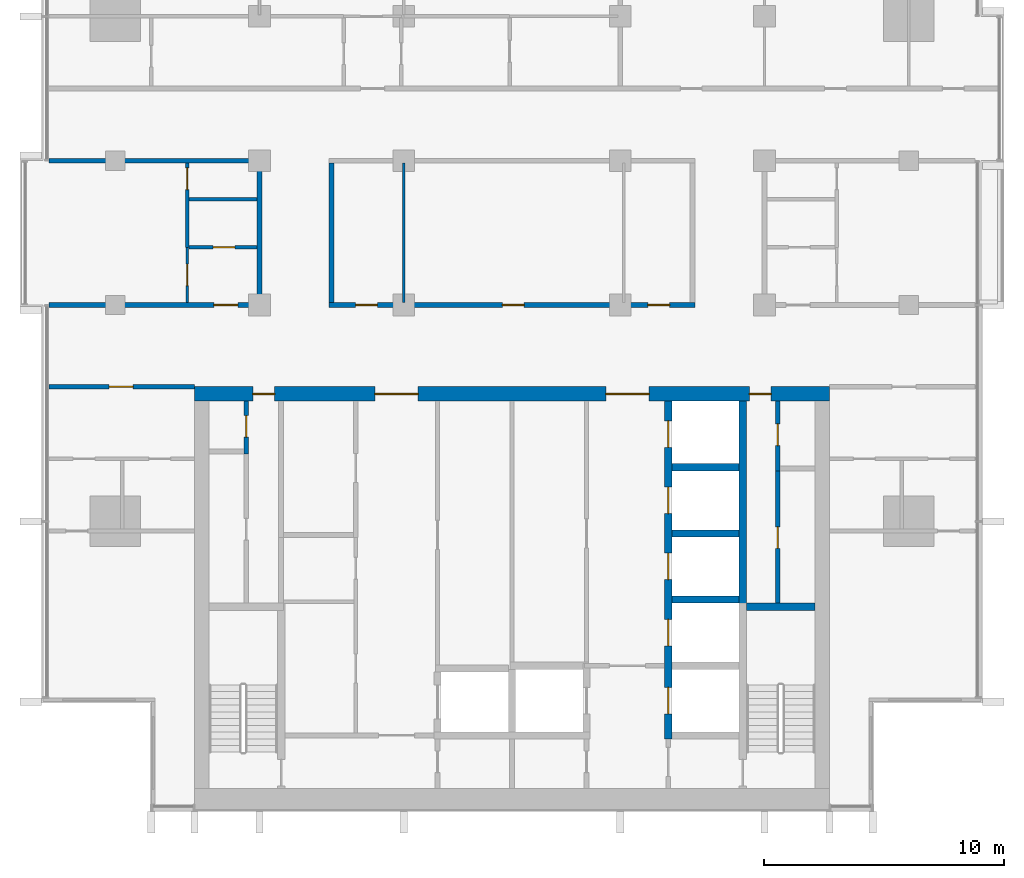
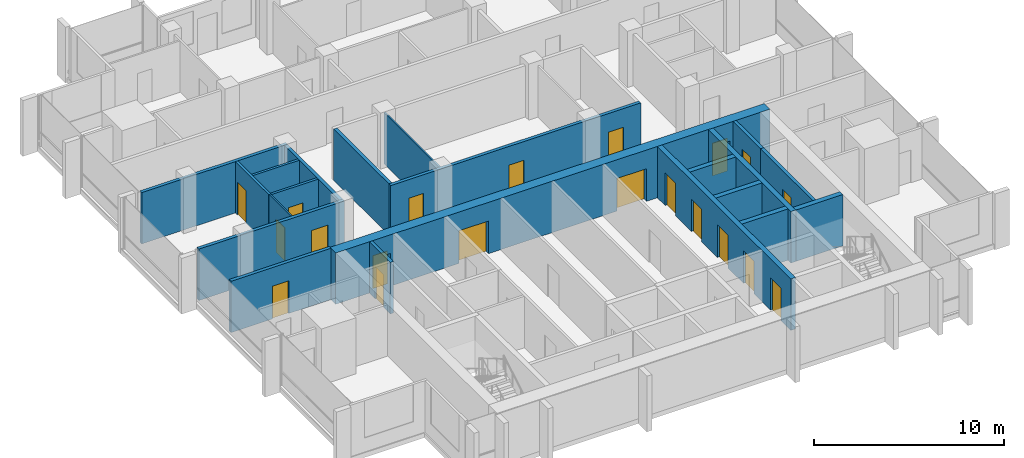
# One storey, part 8 of 15: 21 walls, 20 doors, 20 openings.
"""IFC4 building model written with IfcOpenShell, lengths in metres."""

from ifc_helpers import new_model, si_unit, direction, frame, frame_2d, origin, place, context, subcontext, project, spatial, rectangle, extrude, material, layer, layer_set, type_object, element, fill, save


model = new_model("IFC4")

# Units and contexts
model_context = context("Model", 3, precision=1e-05, world=origin(), true_north=direction((0.0, 1.0)))
body_context = subcontext(model_context, "Body", "Model", "MODEL_VIEW")
ifc_project = project(units=[si_unit("LENGTHUNIT", "METRE"), si_unit("AREAUNIT", "SQUARE_METRE"), si_unit("VOLUMEUNIT", "CUBIC_METRE"), si_unit("PLANEANGLEUNIT", "RADIAN"), si_unit("MASSUNIT", "GRAM", prefix="KILO")], contexts=[model_context])

# Site, building, storey
site_placement = place(None, origin())
site = spatial("IfcSite", under=ifc_project, at=site_placement, CompositionType="ELEMENT")
building_placement = place(site_placement, origin())
building = spatial("IfcBuilding", under=site, at=building_placement, Name="Finial Court Residences", CompositionType="ELEMENT")
storey_placement = place(building_placement, frame((0.0, 0.0, 226.699951171875)))
storey = spatial("IfcBuildingStorey", under=building, at=storey_placement, Name="L57", CompositionType="ELEMENT", Elevation=226.699951171875)

# Wall, openings, doors
ifc_material_1 = material(Name="Concrete C60/75", Category="concrete")
ifc_layer_1 = layer(ifc_material_1, 0.60009765625)
ifc_layer_set_1 = layer_set([ifc_layer_1], Name="Core outer wall 600 Concrete C60/75")
wall_type_1 = type_object("IfcWallType", Name="Core outer wall 600 Concrete C60/75", PredefinedType="SHEAR", material=ifc_layer_set_1)
wall_1_placement = place(storey_placement, frame((-13.199951171875, -8.199951171875, 0.0), z_axis=(0.0, 0.0, 1.0), x_axis=(1.0, 0.0, 0.0)))
wall_1 = element("IfcWall", 1, at=wall_1_placement, inside=storey, type_object=wall_type_1, Name="Core outer wall L57-02", PredefinedType="SHEAR", context=body_context, shape_type="SweptSolid", body=[
    extrude(rectangle(XDim=26.39990234375, YDim=0.60009765625, at=frame_2d((13.199951171875, 0.0))), origin(), (0.0, 0.0, 1.0), 3.300048828125),
])
opening_1_placement = place(wall_1_placement, frame((7.5, 0.0, 0.0)))
opening_1 = element("IfcOpeningElement", 2, at=opening_1_placement, cuts=wall_1, Name="Opening L57-C04", PredefinedType="OPENING", context=body_context, shape_type="SweptSolid", body=[
    extrude(rectangle(XDim=1.800048828125, YDim=2.10009765625, at=frame_2d((0.89990234375, 1.050048828125))), frame((0.0, 0.31005859375, 0.0), z_axis=(0.0, -1.0, 0.0), x_axis=(1.0, 0.0, 0.0)), (0.0, 0.0, 1.0), 0.6201171875),
])
opening_2_placement = place(wall_1_placement, frame((17.10009765625, 0.0, 0.0)))
opening_2 = element("IfcOpeningElement", 3, at=opening_2_placement, cuts=wall_1, Name="Opening L57-C05", PredefinedType="OPENING", context=body_context, shape_type="SweptSolid", body=[
    extrude(rectangle(XDim=1.800048828125, YDim=2.10009765625, at=frame_2d((0.89990234375, 1.050048828125))), frame((0.0, 0.31005859375, 0.0), z_axis=(0.0, -1.0, 0.0), x_axis=(1.0, 0.0, 0.0)), (0.0, 0.0, 1.0), 0.6201171875),
])
opening_3_placement = place(wall_1_placement, frame((2.425048828125, 0.0, 0.0)))
opening_3 = element("IfcOpeningElement", 4, at=opening_3_placement, cuts=wall_1, Name="Opening L57-C10", PredefinedType="OPENING", context=body_context, shape_type="SweptSolid", body=[
    extrude(rectangle(XDim=0.89990234375, YDim=2.10009765625, at=frame_2d((0.449951171875, 1.050048828125))), frame((0.0, 0.31005859375, 0.0), z_axis=(0.0, -1.0, 0.0), x_axis=(1.0, 0.0, 0.0)), (0.0, 0.0, 1.0), 0.6201171875),
])
opening_4_placement = place(wall_1_placement, frame((23.074951171875, 0.0, 0.0)))
opening_4 = element("IfcOpeningElement", 5, at=opening_4_placement, cuts=wall_1, Name="Opening L57-C11", PredefinedType="OPENING", context=body_context, shape_type="SweptSolid", body=[
    extrude(rectangle(XDim=0.89990234375, YDim=2.10009765625, at=frame_2d((0.449951171875, 1.050048828125))), frame((0.0, 0.31005859375, 0.0), z_axis=(0.0, -1.0, 0.0), x_axis=(1.0, 0.0, 0.0)), (0.0, 0.0, 1.0), 0.6201171875),
])
ifc_material_2 = material(Name="Steel fire door", Category="steel")
door_type_1 = type_object("IfcDoorType", Name="Lift lobby door 1800 x 2100 EI 60", OperationType="DOUBLE_DOOR_SINGLE_SWING", PredefinedType="DOOR", material=ifc_material_2)
door_1_placement = place(opening_1_placement, origin())
door_1 = element("IfcDoor", 6, at=door_1_placement, inside=storey, type_object=door_type_1, Name="Lift lobby door L57-C04", OperationType="DOUBLE_DOOR_SINGLE_SWING", OverallHeight=2.10009765625, OverallWidth=1.800048828125, PredefinedType="DOOR", context=body_context, shape_type="SweptSolid", body=[
    extrude(rectangle(XDim=1.800048828125, YDim=2.10009765625, at=frame_2d((0.89990234375, 1.050048828125))), frame((0.0, 0.02490234375, 0.0), z_axis=(0.0, -1.0, 0.0), x_axis=(1.0, 0.0, 0.0)), (0.0, 0.0, 1.0), 0.050048828125),
])
fill(opening_1, door_1)
door_2_placement = place(opening_2_placement, origin())
door_2 = element("IfcDoor", 7, at=door_2_placement, inside=storey, type_object=door_type_1, Name="Lift lobby door L57-C05", OperationType="DOUBLE_DOOR_SINGLE_SWING", OverallHeight=2.10009765625, OverallWidth=1.800048828125, PredefinedType="DOOR", context=body_context, shape_type="SweptSolid", body=[
    extrude(rectangle(XDim=1.800048828125, YDim=2.10009765625, at=frame_2d((0.89990234375, 1.050048828125))), frame((0.0, 0.02490234375, 0.0), z_axis=(0.0, -1.0, 0.0), x_axis=(1.0, 0.0, 0.0)), (0.0, 0.0, 1.0), 0.050048828125),
])
fill(opening_2, door_2)
door_type_2 = type_object("IfcDoorType", Name="Riser room door 900 x 2100 EI 90", OperationType="NOTDEFINED", PredefinedType="DOOR", material=ifc_material_2)
door_3_placement = place(opening_3_placement, origin())
door_3 = element("IfcDoor", 8, at=door_3_placement, inside=storey, type_object=door_type_2, Name="Riser room door L57-C10", OperationType="SINGLE_SWING_RIGHT", OverallHeight=2.10009765625, OverallWidth=0.89990234375, PredefinedType="DOOR", context=body_context, shape_type="SweptSolid", body=[
    extrude(rectangle(XDim=0.89990234375, YDim=2.10009765625, at=frame_2d((0.449951171875, 1.050048828125))), frame((0.0, 0.02490234375, 0.0), z_axis=(0.0, -1.0, 0.0), x_axis=(1.0, 0.0, 0.0)), (0.0, 0.0, 1.0), 0.050048828125),
])
fill(opening_3, door_3)
door_4_placement = place(opening_4_placement, origin())
door_4 = element("IfcDoor", 9, at=door_4_placement, inside=storey, type_object=door_type_2, Name="Riser room door L57-C11", OperationType="SINGLE_SWING_LEFT", OverallHeight=2.10009765625, OverallWidth=0.89990234375, PredefinedType="DOOR", context=body_context, shape_type="SweptSolid", body=[
    extrude(rectangle(XDim=0.89990234375, YDim=2.10009765625, at=frame_2d((0.449951171875, 1.050048828125))), frame((0.0, 0.02490234375, 0.0), z_axis=(0.0, -1.0, 0.0), x_axis=(1.0, 0.0, 0.0)), (0.0, 0.0, 1.0), 0.050048828125),
])
fill(opening_4, door_4)

# Wall, opening, door
ifc_material_3 = material(Name="Gypsum board")
ifc_layer_2 = layer(ifc_material_3, 0.02490234375)
ifc_material_4 = material(Name="Acoustic mineral wool in double frame")
ifc_layer_3 = layer(ifc_material_4, 0.14990234375)
ifc_layer_4 = layer(ifc_material_3, 0.02490234375)
ifc_layer_set_2 = layer_set([ifc_layer_2, ifc_layer_3, ifc_layer_4], Name="Corridor wall 200, 1 hour")
wall_type_2 = type_object("IfcWallType", Name="Corridor wall 200, 1 hour", PredefinedType="PARTITIONING", material=ifc_layer_set_2)
wall_2_placement = place(storey_placement, frame((-19.262451171875, -7.89990234375, 0.0), z_axis=(0.0, 0.0, 1.0), x_axis=(1.0, 0.0, 0.0)))
wall_2 = element("IfcWall", 10, at=wall_2_placement, inside=storey, type_object=wall_type_2, Name="Partition L57-004", PredefinedType="PARTITIONING", context=body_context, shape_type="SweptSolid", body=[
    extrude(rectangle(XDim=6.0625, YDim=0.199951171875, at=frame_2d((3.03125, 0.0))), origin(), (0.0, 0.0, 1.0), 3.300048828125),
])
opening_5_placement = place(wall_2_placement, frame((2.511962890625, 0.0, 0.0)))
opening_5 = element("IfcOpeningElement", 11, at=opening_5_placement, cuts=wall_2, Name="Opening L57-D007", PredefinedType="OPENING", context=body_context, shape_type="SweptSolid", body=[
    extrude(rectangle(XDim=1.0, YDim=2.10009765625, at=frame_2d((0.5, 1.050048828125))), frame((0.0, 0.10986328125, 0.0), z_axis=(0.0, -1.0, 0.0), x_axis=(1.0, 0.0, 0.0)), (0.0, 0.0, 1.0), 0.219970703125),
])
ifc_material_5 = material(Name="Timber door leaf in hollow metal frame", Category="wood")
door_type_3 = type_object("IfcDoorType", Name="Fire door set 1000 x 2100, 30 minutes", OperationType="SINGLE_SWING_LEFT", PredefinedType="DOOR", material=ifc_material_5)
door_5_placement = place(opening_5_placement, origin())
door_5 = element("IfcDoor", 12, at=door_5_placement, inside=storey, type_object=door_type_3, Name="Door L57-D007", OperationType="SINGLE_SWING_LEFT", OverallHeight=2.10009765625, OverallWidth=1.0, PredefinedType="DOOR", context=body_context, shape_type="SweptSolid", body=[
    extrude(rectangle(XDim=1.0, YDim=2.10009765625, at=frame_2d((0.5, 1.050048828125))), frame((0.0, 0.02490234375, 0.0), z_axis=(0.0, -1.0, 0.0), x_axis=(1.0, 0.0, 0.0)), (0.0, 0.0, 1.0), 0.050048828125),
])
fill(opening_5, door_5)

wall_3_placement = place(storey_placement, frame((-19.262451171875, -4.5, 0.0), z_axis=(0.0, 0.0, 1.0), x_axis=(1.0, 0.0, 0.0)))
wall_3 = element("IfcWall", 13, at=wall_3_placement, inside=storey, type_object=wall_type_2, Name="Partition L57-006", PredefinedType="PARTITIONING", context=body_context, shape_type="SweptSolid", body=[
    extrude(rectangle(XDim=8.862548828125, YDim=0.199951171875, at=frame_2d((4.43115234375, 0.0))), origin(), (0.0, 0.0, 1.0), 3.300048828125),
])
opening_6_placement = place(wall_3_placement, frame((6.862060546875, 0.0, 0.0)))
opening_6 = element("IfcOpeningElement", 14, at=opening_6_placement, cuts=wall_3, Name="Opening L57-D009", PredefinedType="OPENING", context=body_context, shape_type="SweptSolid", body=[
    extrude(rectangle(XDim=1.0, YDim=2.10009765625, at=frame_2d((0.5, 1.050048828125))), frame((0.0, 0.10986328125, 0.0), z_axis=(0.0, -1.0, 0.0), x_axis=(1.0, 0.0, 0.0)), (0.0, 0.0, 1.0), 0.219970703125),
])
door_6_placement = place(opening_6_placement, origin())
door_6 = element("IfcDoor", 15, at=door_6_placement, inside=storey, type_object=door_type_3, Name="Door L57-D009", OperationType="SINGLE_SWING_LEFT", OverallHeight=2.10009765625, OverallWidth=1.0, PredefinedType="DOOR", context=body_context, shape_type="SweptSolid", body=[
    extrude(rectangle(XDim=1.0, YDim=2.10009765625, at=frame_2d((0.5, 1.050048828125))), frame((0.0, 0.02490234375, 0.0), z_axis=(0.0, -1.0, 0.0), x_axis=(1.0, 0.0, 0.0)), (0.0, 0.0, 1.0), 0.050048828125),
])
fill(opening_6, door_6)

# Wall, openings, doors
wall_4_placement = place(storey_placement, frame((-7.60009765625, -4.5, 0.0), z_axis=(0.0, 0.0, 1.0), x_axis=(1.0, 0.0, 0.0)))
wall_4 = element("IfcWall", 16, at=wall_4_placement, inside=storey, type_object=wall_type_2, Name="Partition L57-007", PredefinedType="PARTITIONING", context=body_context, shape_type="SweptSolid", body=[
    extrude(rectangle(XDim=15.2001953125, YDim=0.199951171875, at=frame_2d((7.60009765625, 0.0))), origin(), (0.0, 0.0, 1.0), 3.300048828125),
])
opening_7_placement = place(wall_4_placement, frame((1.10009765625, 0.0, 0.0)))
opening_7 = element("IfcOpeningElement", 17, at=opening_7_placement, cuts=wall_4, Name="Opening L57-D010", PredefinedType="OPENING", context=body_context, shape_type="SweptSolid", body=[
    extrude(rectangle(XDim=0.89990234375, YDim=2.10009765625, at=frame_2d((0.449951171875, 1.050048828125))), frame((0.0, 0.10986328125, 0.0), z_axis=(0.0, -1.0, 0.0), x_axis=(1.0, 0.0, 0.0)), (0.0, 0.0, 1.0), 0.219970703125),
])
opening_8_placement = place(wall_4_placement, frame((7.199951171875, 0.0, 0.0)))
opening_8 = element("IfcOpeningElement", 18, at=opening_8_placement, cuts=wall_4, Name="Opening L57-D011", PredefinedType="OPENING", context=body_context, shape_type="SweptSolid", body=[
    extrude(rectangle(XDim=0.89990234375, YDim=2.10009765625, at=frame_2d((0.449951171875, 1.050048828125))), frame((0.0, 0.10986328125, 0.0), z_axis=(0.0, -1.0, 0.0), x_axis=(1.0, 0.0, 0.0)), (0.0, 0.0, 1.0), 0.219970703125),
])
opening_9_placement = place(wall_4_placement, frame((13.25, 0.0, 0.0)))
opening_9 = element("IfcOpeningElement", 19, at=opening_9_placement, cuts=wall_4, Name="Opening L57-D012", PredefinedType="OPENING", context=body_context, shape_type="SweptSolid", body=[
    extrude(rectangle(XDim=0.89990234375, YDim=2.10009765625, at=frame_2d((0.449951171875, 1.050048828125))), frame((0.0, 0.10986328125, 0.0), z_axis=(0.0, -1.0, 0.0), x_axis=(1.0, 0.0, 0.0)), (0.0, 0.0, 1.0), 0.219970703125),
])
door_type_4 = type_object("IfcDoorType", Name="Fire door set 900 x 2100, 30 minutes", OperationType="SINGLE_SWING_LEFT", PredefinedType="DOOR", material=ifc_material_5)
door_7_placement = place(opening_7_placement, origin())
door_7 = element("IfcDoor", 20, at=door_7_placement, inside=storey, type_object=door_type_4, Name="Door L57-D010", OperationType="SINGLE_SWING_RIGHT", OverallHeight=2.10009765625, OverallWidth=0.89990234375, PredefinedType="DOOR", context=body_context, shape_type="SweptSolid", body=[
    extrude(rectangle(XDim=0.89990234375, YDim=2.10009765625, at=frame_2d((0.449951171875, 1.050048828125))), frame((0.0, 0.02490234375, 0.0), z_axis=(0.0, -1.0, 0.0), x_axis=(1.0, 0.0, 0.0)), (0.0, 0.0, 1.0), 0.050048828125),
])
fill(opening_7, door_7)
door_8_placement = place(opening_8_placement, origin())
door_8 = element("IfcDoor", 21, at=door_8_placement, inside=storey, type_object=door_type_4, Name="Door L57-D011", OperationType="SINGLE_SWING_LEFT", OverallHeight=2.10009765625, OverallWidth=0.89990234375, PredefinedType="DOOR", context=body_context, shape_type="SweptSolid", body=[
    extrude(rectangle(XDim=0.89990234375, YDim=2.10009765625, at=frame_2d((0.449951171875, 1.050048828125))), frame((0.0, 0.02490234375, 0.0), z_axis=(0.0, -1.0, 0.0), x_axis=(1.0, 0.0, 0.0)), (0.0, 0.0, 1.0), 0.050048828125),
])
fill(opening_8, door_8)
door_9_placement = place(opening_9_placement, origin())
door_9 = element("IfcDoor", 22, at=door_9_placement, inside=storey, type_object=door_type_4, Name="Door L57-D012", OperationType="SINGLE_SWING_LEFT", OverallHeight=2.10009765625, OverallWidth=0.89990234375, PredefinedType="DOOR", context=body_context, shape_type="SweptSolid", body=[
    extrude(rectangle(XDim=0.89990234375, YDim=2.10009765625, at=frame_2d((0.449951171875, 1.050048828125))), frame((0.0, 0.02490234375, 0.0), z_axis=(0.0, -1.0, 0.0), x_axis=(1.0, 0.0, 0.0)), (0.0, 0.0, 1.0), 0.050048828125),
])
fill(opening_9, door_9)

# Walls
wall_5_placement = place(storey_placement, frame((-19.262451171875, 1.5, 0.0), z_axis=(0.0, 0.0, 1.0), x_axis=(1.0, 0.0, 0.0)))
element("IfcWall", 23, at=wall_5_placement, inside=storey, type_object=wall_type_2, Name="Partition L57-013", PredefinedType="PARTITIONING", context=body_context, shape_type="SweptSolid", body=[
    extrude(rectangle(XDim=8.862548828125, YDim=0.199951171875, at=frame_2d((4.43115234375, 0.0))), origin(), (0.0, 0.0, 1.0), 3.300048828125),
])
for number, where, z_axis, x_axis, name in (
    (24, (-10.5, -4.39990234375, 0.0), (0.0, 0.0, 1.0), (0.0, 1.0, 0.0), "Partition L57-027"),
    (25, (-7.5, -4.39990234375, 0.0), (0.0, 0.0, 1.0), (0.0, 1.0, 0.0), "Partition L57-029"),
):
    element("IfcWall", number, at=place(storey_placement, frame(where, z_axis=z_axis, x_axis=x_axis)), inside=storey, type_object=wall_type_2, Name=name, PredefinedType="PARTITIONING", context=body_context, shape_type="SweptSolid", body=[
        extrude(rectangle(XDim=5.7998046875, YDim=0.199951171875, at=frame_2d((2.89990234375, 0.0))), origin(), (0.0, 0.0, 1.0), 3.300048828125),
    ])

# Wall, opening, door
ifc_layer_5 = layer(ifc_material_3, 0.012451171875)
ifc_material_6 = material(Name="Mineral wool in light-gauge frame")
ifc_layer_6 = layer(ifc_material_6, 0.074951171875)
ifc_layer_7 = layer(ifc_material_3, 0.012451171875)
ifc_layer_set_3 = layer_set([ifc_layer_5, ifc_layer_6, ifc_layer_7], Name="Gypsum board partition 100")
wall_type_3 = type_object("IfcWallType", Name="Gypsum board partition 100", PredefinedType="PARTITIONING", material=ifc_layer_set_3)
wall_6_placement = place(storey_placement, frame((-13.5, -4.39990234375, 0.0), z_axis=(0.0, 0.0, 1.0), x_axis=(0.0, 1.0, 0.0)))
wall_6 = element("IfcWall", 26, at=wall_6_placement, inside=storey, type_object=wall_type_3, Name="Partition L57-025", PredefinedType="PARTITIONING", context=body_context, shape_type="SweptSolid", body=[
    extrude(rectangle(XDim=2.2998046875, YDim=0.10009765625, at=frame_2d((1.14990234375, 0.0))), origin(), (0.0, 0.0, 1.0), 3.300048828125),
])
opening_10_placement = place(wall_6_placement, frame((0.699951171875, 0.0, 0.0)))
opening_10 = element("IfcOpeningElement", 27, at=opening_10_placement, cuts=wall_6, Name="Opening L57-D024", PredefinedType="OPENING", context=body_context, shape_type="SweptSolid", body=[
    extrude(rectangle(XDim=0.89990234375, YDim=2.10009765625, at=frame_2d((0.449951171875, 1.050048828125))), frame((0.0, 0.06005859375, 0.0), z_axis=(0.0, -1.0, 0.0), x_axis=(1.0, 0.0, 0.0)), (0.0, 0.0, 1.0), 0.1201171875),
])
ifc_material_7 = material(Name="Timber door leaf in timber frame", Category="wood")
door_type_5 = type_object("IfcDoorType", Name="Door set 900 x 2100", OperationType="SINGLE_SWING_LEFT", PredefinedType="DOOR", material=ifc_material_7)
door_10_placement = place(opening_10_placement, origin())
door_10 = element("IfcDoor", 28, at=door_10_placement, inside=storey, type_object=door_type_5, Name="Door L57-D024", OperationType="SINGLE_SWING_LEFT", OverallHeight=2.10009765625, OverallWidth=0.89990234375, PredefinedType="DOOR", context=body_context, shape_type="SweptSolid", body=[
    extrude(rectangle(XDim=0.89990234375, YDim=2.10009765625, at=frame_2d((0.449951171875, 1.050048828125))), frame((0.0, 0.02490234375, 0.0), z_axis=(0.0, -1.0, 0.0), x_axis=(1.0, 0.0, 0.0)), (0.0, 0.0, 1.0), 0.050048828125),
])
fill(opening_10, door_10)

# Wall
wall_7_placement = place(storey_placement, frame((-4.5, -4.39990234375, 0.0), z_axis=(0.0, 0.0, 1.0), x_axis=(0.0, 1.0, 0.0)))
element("IfcWall", 29, at=wall_7_placement, inside=storey, type_object=wall_type_3, Name="Partition L57-032", PredefinedType="PARTITIONING", context=body_context, shape_type="SweptSolid", body=[
    extrude(rectangle(XDim=5.7998046875, YDim=0.10009765625, at=frame_2d((2.89990234375, 0.0))), origin(), (0.0, 0.0, 1.0), 3.300048828125),
])

# Wall, opening, door
ifc_material_8 = material(Name="Moisture-resistant gypsum board")
ifc_layer_8 = layer(ifc_material_8, 0.012451171875)
ifc_layer_9 = layer(ifc_material_6, 0.125)
ifc_layer_10 = layer(ifc_material_8, 0.012451171875)
ifc_layer_set_4 = layer_set([ifc_layer_8, ifc_layer_9, ifc_layer_10], Name="Gypsum board wet-area partition 150")
wall_type_4 = type_object("IfcWallType", Name="Gypsum board wet-area partition 150", PredefinedType="PARTITIONING", material=ifc_layer_set_4)
wall_8_placement = place(storey_placement, frame((-13.425048828125, -2.10009765625, 0.0), z_axis=(0.0, 0.0, 1.0), x_axis=(1.0, 0.0, 0.0)))
wall_8 = element("IfcWall", 30, at=wall_8_placement, inside=storey, type_object=wall_type_4, Name="Partition L57-009", PredefinedType="PARTITIONING", context=body_context, shape_type="SweptSolid", body=[
    extrude(rectangle(XDim=2.824951171875, YDim=0.14990234375, at=frame_2d((1.41259765625, 0.0))), origin(), (0.0, 0.0, 1.0), 3.300048828125),
])
opening_11_placement = place(wall_8_placement, frame((1.0, 0.0, 0.0)))
opening_11 = element("IfcOpeningElement", 31, at=opening_11_placement, cuts=wall_8, Name="Opening L57-D014", PredefinedType="OPENING", context=body_context, shape_type="SweptSolid", body=[
    extrude(rectangle(XDim=0.89990234375, YDim=2.10009765625, at=frame_2d((0.449951171875, 1.050048828125))), frame((0.0, 0.0849609375, 0.0), z_axis=(0.0, -1.0, 0.0), x_axis=(1.0, 0.0, 0.0)), (0.0, 0.0, 1.0), 0.169921875),
])
door_11_placement = place(opening_11_placement, origin())
door_11 = element("IfcDoor", 32, at=door_11_placement, inside=storey, type_object=door_type_5, Name="Door L57-D014", OperationType="SINGLE_SWING_LEFT", OverallHeight=2.10009765625, OverallWidth=0.89990234375, PredefinedType="DOOR", context=body_context, shape_type="SweptSolid", body=[
    extrude(rectangle(XDim=0.89990234375, YDim=2.10009765625, at=frame_2d((0.449951171875, 1.050048828125))), frame((0.0, 0.02490234375, 0.0), z_axis=(0.0, -1.0, 0.0), x_axis=(1.0, 0.0, 0.0)), (0.0, 0.0, 1.0), 0.050048828125),
])
fill(opening_11, door_11)

# Wall
wall_9_placement = place(storey_placement, frame((-13.425048828125, -0.10009765625, 0.0), z_axis=(0.0, 0.0, 1.0), x_axis=(1.0, 0.0, 0.0)))
element("IfcWall", 33, at=wall_9_placement, inside=storey, type_object=wall_type_4, Name="Partition L57-011", PredefinedType="PARTITIONING", context=body_context, shape_type="SweptSolid", body=[
    extrude(rectangle(XDim=2.824951171875, YDim=0.14990234375, at=frame_2d((1.41259765625, 0.0))), origin(), (0.0, 0.0, 1.0), 3.300048828125),
])

# Wall, opening, door
wall_10_placement = place(storey_placement, frame((-13.5, -2.10009765625, 0.0), z_axis=(0.0, 0.0, 1.0), x_axis=(0.0, 1.0, 0.0)))
wall_10 = element("IfcWall", 34, at=wall_10_placement, inside=storey, type_object=wall_type_4, Name="Partition L57-026", PredefinedType="PARTITIONING", context=body_context, shape_type="SweptSolid", body=[
    extrude(rectangle(XDim=3.5, YDim=0.14990234375, at=frame_2d((1.75, 0.0))), origin(), (0.0, 0.0, 1.0), 3.300048828125),
])
opening_12_placement = place(wall_10_placement, frame((2.39990234375, 0.0, 0.0)))
opening_12 = element("IfcOpeningElement", 35, at=opening_12_placement, cuts=wall_10, Name="Opening L57-D025", PredefinedType="OPENING", context=body_context, shape_type="SweptSolid", body=[
    extrude(rectangle(XDim=0.89990234375, YDim=2.10009765625, at=frame_2d((0.449951171875, 1.050048828125))), frame((0.0, 0.0849609375, 0.0), z_axis=(0.0, -1.0, 0.0), x_axis=(1.0, 0.0, 0.0)), (0.0, 0.0, 1.0), 0.169921875),
])
door_12_placement = place(opening_12_placement, origin())
door_12 = element("IfcDoor", 36, at=door_12_placement, inside=storey, type_object=door_type_5, Name="Door L57-D025", OperationType="SINGLE_SWING_RIGHT", OverallHeight=2.10009765625, OverallWidth=0.89990234375, PredefinedType="DOOR", context=body_context, shape_type="SweptSolid", body=[
    extrude(rectangle(XDim=0.89990234375, YDim=2.10009765625, at=frame_2d((0.449951171875, 1.050048828125))), frame((0.0, 0.02490234375, 0.0), z_axis=(0.0, -1.0, 0.0), x_axis=(1.0, 0.0, 0.0)), (0.0, 0.0, 1.0), 0.050048828125),
])
fill(opening_12, door_12)

# Walls
ifc_layer_11 = layer(ifc_material_1, 0.300048828125)
ifc_layer_set_5 = layer_set([ifc_layer_11], Name="Lift shaft and stair wall 300 Concrete C60/75")
wall_type_5 = type_object("IfcWallType", Name="Lift shaft and stair wall 300 Concrete C60/75", PredefinedType="SHEAR", material=ifc_layer_set_5)
wall_11_placement = place(storey_placement, frame((9.75, -17.050048828125, 0.0), z_axis=(0.0, 0.0, 1.0), x_axis=(1.0, 0.0, 0.0)))
element("IfcWall", 37, at=wall_11_placement, inside=storey, type_object=wall_type_5, Name="Core wall L57-09", PredefinedType="SHEAR", context=body_context, shape_type="SweptSolid", body=[
    extrude(rectangle(XDim=2.85009765625, YDim=0.300048828125, at=frame_2d((1.425048828125, 0.0))), origin(), (0.0, 0.0, 1.0), 3.300048828125),
])
for number, where, z_axis, x_axis, name in (
    (38, (6.64990234375, -16.75, 0.0), (0.0, 0.0, 1.0), (1.0, 0.0, 0.0), "Core wall L57-11"),
    (39, (6.64990234375, -14.0, 0.0), (0.0, 0.0, 1.0), (1.0, 0.0, 0.0), "Core wall L57-13"),
    (40, (6.64990234375, -11.25, 0.0), (0.0, 0.0, 1.0), (1.0, 0.0, 0.0), "Core wall L57-15"),
):
    element("IfcWall", number, at=place(storey_placement, frame(where, z_axis=z_axis, x_axis=x_axis)), inside=storey, type_object=wall_type_5, Name=name, PredefinedType="SHEAR", context=body_context, shape_type="SweptSolid", body=[
        extrude(rectangle(XDim=2.800048828125, YDim=0.300048828125, at=frame_2d((1.39990234375, 0.0))), origin(), (0.0, 0.0, 1.0), 3.300048828125),
    ])

# Wall, openings, doors
wall_12_placement = place(storey_placement, frame((6.5, -22.550048828125, 0.0), z_axis=(0.0, 0.0, 1.0), x_axis=(0.0, 1.0, 0.0)))
wall_12 = element("IfcWall", 41, at=wall_12_placement, inside=storey, type_object=wall_type_5, Name="Core wall L57-34", PredefinedType="SHEAR", context=body_context, shape_type="SweptSolid", body=[
    extrude(rectangle(XDim=14.050048828125, YDim=0.300048828125, at=frame_2d((7.02490234375, 0.0))), origin(), (0.0, 0.0, 1.0), 3.300048828125),
])
opening_13_placement = place(wall_12_placement, frame((1.050048828125, 0.0, 0.0)))
opening_13 = element("IfcOpeningElement", 42, at=opening_13_placement, cuts=wall_12, Name="Opening L57-LD02", PredefinedType="OPENING", context=body_context, shape_type="SweptSolid", body=[
    extrude(rectangle(XDim=1.10009765625, YDim=2.10009765625, at=frame_2d((0.550048828125, 1.050048828125))), frame((0.0, 0.159912109375, 0.0), z_axis=(0.0, -1.0, 0.0), x_axis=(1.0, 0.0, 0.0)), (0.0, 0.0, 1.0), 0.320068359375),
])
opening_14_placement = place(wall_12_placement, frame((3.875, 0.0, 0.0)))
opening_14 = element("IfcOpeningElement", 43, at=opening_14_placement, cuts=wall_12, Name="Opening L57-LD03", PredefinedType="OPENING", context=body_context, shape_type="SweptSolid", body=[
    extrude(rectangle(XDim=1.10009765625, YDim=2.10009765625, at=frame_2d((0.550048828125, 1.050048828125))), frame((0.0, 0.159912109375, 0.0), z_axis=(0.0, -1.0, 0.0), x_axis=(1.0, 0.0, 0.0)), (0.0, 0.0, 1.0), 0.320068359375),
])
opening_15_placement = place(wall_12_placement, frame((6.625, 0.0, 0.0)))
opening_15 = element("IfcOpeningElement", 44, at=opening_15_placement, cuts=wall_12, Name="Opening L57-LD04", PredefinedType="OPENING", context=body_context, shape_type="SweptSolid", body=[
    extrude(rectangle(XDim=1.10009765625, YDim=2.10009765625, at=frame_2d((0.550048828125, 1.050048828125))), frame((0.0, 0.159912109375, 0.0), z_axis=(0.0, -1.0, 0.0), x_axis=(1.0, 0.0, 0.0)), (0.0, 0.0, 1.0), 0.320068359375),
])
opening_16_placement = place(wall_12_placement, frame((9.375, 0.0, 0.0)))
opening_16 = element("IfcOpeningElement", 45, at=opening_16_placement, cuts=wall_12, Name="Opening L57-LD05", PredefinedType="OPENING", context=body_context, shape_type="SweptSolid", body=[
    extrude(rectangle(XDim=1.10009765625, YDim=2.10009765625, at=frame_2d((0.550048828125, 1.050048828125))), frame((0.0, 0.159912109375, 0.0), z_axis=(0.0, -1.0, 0.0), x_axis=(1.0, 0.0, 0.0)), (0.0, 0.0, 1.0), 0.320068359375),
])
opening_17_placement = place(wall_12_placement, frame((12.125, 0.0, 0.0)))
opening_17 = element("IfcOpeningElement", 46, at=opening_17_placement, cuts=wall_12, Name="Opening L57-LD06", PredefinedType="OPENING", context=body_context, shape_type="SweptSolid", body=[
    extrude(rectangle(XDim=1.10009765625, YDim=2.10009765625, at=frame_2d((0.550048828125, 1.050048828125))), frame((0.0, 0.159912109375, 0.0), z_axis=(0.0, -1.0, 0.0), x_axis=(1.0, 0.0, 0.0)), (0.0, 0.0, 1.0), 0.320068359375),
])
ifc_material_9 = material(Name="Stainless steel lift door", Category="steel")
door_type_6 = type_object("IfcDoorType", Name="Lift landing door 1100 x 2100 EI 90", OperationType="DOUBLE_DOOR_SLIDING", PredefinedType="DOOR", material=ifc_material_9)
door_13_placement = place(opening_13_placement, origin())
door_13 = element("IfcDoor", 47, at=door_13_placement, inside=storey, type_object=door_type_6, Name="Lift landing door FF2 L57", OperationType="DOUBLE_DOOR_SLIDING", OverallHeight=2.10009765625, OverallWidth=1.10009765625, PredefinedType="DOOR", context=body_context, shape_type="SweptSolid", body=[
    extrude(rectangle(XDim=1.10009765625, YDim=2.10009765625, at=frame_2d((0.550048828125, 1.050048828125))), frame((0.0, 0.02490234375, 0.0), z_axis=(0.0, -1.0, 0.0), x_axis=(1.0, 0.0, 0.0)), (0.0, 0.0, 1.0), 0.050048828125),
])
fill(opening_13, door_13)
door_14_placement = place(opening_14_placement, origin())
door_14 = element("IfcDoor", 48, at=door_14_placement, inside=storey, type_object=door_type_6, Name="Lift landing door HR5 L57", OperationType="DOUBLE_DOOR_SLIDING", OverallHeight=2.10009765625, OverallWidth=1.10009765625, PredefinedType="DOOR", context=body_context, shape_type="SweptSolid", body=[
    extrude(rectangle(XDim=1.10009765625, YDim=2.10009765625, at=frame_2d((0.550048828125, 1.050048828125))), frame((0.0, 0.02490234375, 0.0), z_axis=(0.0, -1.0, 0.0), x_axis=(1.0, 0.0, 0.0)), (0.0, 0.0, 1.0), 0.050048828125),
])
fill(opening_14, door_14)
door_15_placement = place(opening_15_placement, origin())
door_15 = element("IfcDoor", 49, at=door_15_placement, inside=storey, type_object=door_type_6, Name="Lift landing door HR6 L57", OperationType="DOUBLE_DOOR_SLIDING", OverallHeight=2.10009765625, OverallWidth=1.10009765625, PredefinedType="DOOR", context=body_context, shape_type="SweptSolid", body=[
    extrude(rectangle(XDim=1.10009765625, YDim=2.10009765625, at=frame_2d((0.550048828125, 1.050048828125))), frame((0.0, 0.02490234375, 0.0), z_axis=(0.0, -1.0, 0.0), x_axis=(1.0, 0.0, 0.0)), (0.0, 0.0, 1.0), 0.050048828125),
])
fill(opening_15, door_15)
door_16_placement = place(opening_16_placement, origin())
door_16 = element("IfcDoor", 50, at=door_16_placement, inside=storey, type_object=door_type_6, Name="Lift landing door HR7 L57", OperationType="DOUBLE_DOOR_SLIDING", OverallHeight=2.10009765625, OverallWidth=1.10009765625, PredefinedType="DOOR", context=body_context, shape_type="SweptSolid", body=[
    extrude(rectangle(XDim=1.10009765625, YDim=2.10009765625, at=frame_2d((0.550048828125, 1.050048828125))), frame((0.0, 0.02490234375, 0.0), z_axis=(0.0, -1.0, 0.0), x_axis=(1.0, 0.0, 0.0)), (0.0, 0.0, 1.0), 0.050048828125),
])
fill(opening_16, door_16)
door_17_placement = place(opening_17_placement, origin())
door_17 = element("IfcDoor", 51, at=door_17_placement, inside=storey, type_object=door_type_6, Name="Lift landing door HR8 L57", OperationType="DOUBLE_DOOR_SLIDING", OverallHeight=2.10009765625, OverallWidth=1.10009765625, PredefinedType="DOOR", context=body_context, shape_type="SweptSolid", body=[
    extrude(rectangle(XDim=1.10009765625, YDim=2.10009765625, at=frame_2d((0.550048828125, 1.050048828125))), frame((0.0, 0.02490234375, 0.0), z_axis=(0.0, -1.0, 0.0), x_axis=(1.0, 0.0, 0.0)), (0.0, 0.0, 1.0), 0.050048828125),
])
fill(opening_17, door_17)

# Wall
wall_13_placement = place(storey_placement, frame((9.60009765625, -17.199951171875, 0.0), z_axis=(0.0, 0.0, 1.0), x_axis=(0.0, 1.0, 0.0)))
element("IfcWall", 52, at=wall_13_placement, inside=storey, type_object=wall_type_5, Name="Core wall L57-36", PredefinedType="SHEAR", context=body_context, shape_type="SweptSolid", body=[
    extrude(rectangle(XDim=8.699951171875, YDim=0.300048828125, at=frame_2d((4.35009765625, 0.0))), origin(), (0.0, 0.0, 1.0), 3.300048828125),
])

# Wall, opening, door
ifc_material_10 = material(Name="Fire-rated gypsum board partition")
ifc_layer_12 = layer(ifc_material_10, 0.199951171875)
ifc_layer_set_6 = layer_set([ifc_layer_12], Name="Riser room wall 200 EI 120")
wall_type_6 = type_object("IfcWallType", Name="Riser room wall 200 EI 120", PredefinedType="PARTITIONING", material=ifc_layer_set_6)
wall_14_placement = place(storey_placement, frame((-11.050048828125, -10.699951171875, 0.0), z_axis=(0.0, 0.0, 1.0), x_axis=(0.0, 1.0, 0.0)))
wall_14 = element("IfcWall", 53, at=wall_14_placement, inside=storey, type_object=wall_type_6, Name="Core partition L57-18", PredefinedType="PARTITIONING", context=body_context, shape_type="SweptSolid", body=[
    extrude(rectangle(XDim=2.199951171875, YDim=0.199951171875, at=frame_2d((1.10009765625, 0.0))), origin(), (0.0, 0.0, 1.0), 3.300048828125),
])
opening_18_placement = place(wall_14_placement, frame((0.699951171875, 0.0, 0.0)))
opening_18 = element("IfcOpeningElement", 54, at=opening_18_placement, cuts=wall_14, Name="Opening L57-C07", PredefinedType="OPENING", context=body_context, shape_type="SweptSolid", body=[
    extrude(rectangle(XDim=0.89990234375, YDim=2.10009765625, at=frame_2d((0.449951171875, 1.050048828125))), frame((0.0, 0.10986328125, 0.0), z_axis=(0.0, -1.0, 0.0), x_axis=(1.0, 0.0, 0.0)), (0.0, 0.0, 1.0), 0.219970703125),
])
door_18_placement = place(opening_18_placement, origin())
door_18 = element("IfcDoor", 55, at=door_18_placement, inside=storey, type_object=door_type_2, Name="Riser room door L57-C07", OperationType="SINGLE_SWING_LEFT", OverallHeight=2.10009765625, OverallWidth=0.89990234375, PredefinedType="DOOR", context=body_context, shape_type="SweptSolid", body=[
    extrude(rectangle(XDim=0.89990234375, YDim=2.10009765625, at=frame_2d((0.449951171875, 1.050048828125))), frame((0.0, 0.02490234375, 0.0), z_axis=(0.0, -1.0, 0.0), x_axis=(1.0, 0.0, 0.0)), (0.0, 0.0, 1.0), 0.050048828125),
])
fill(opening_18, door_18)

wall_15_placement = place(storey_placement, frame((11.050048828125, -8.5, 0.0), z_axis=(0.0, 0.0, 1.0), x_axis=(0.0, -1.0, 0.0)))
wall_15 = element("IfcWall", 56, at=wall_15_placement, inside=storey, type_object=wall_type_6, Name="Core partition L57-38", PredefinedType="PARTITIONING", context=body_context, shape_type="SweptSolid", body=[
    extrude(rectangle(XDim=2.89990234375, YDim=0.199951171875, at=frame_2d((1.449951171875, 0.0))), origin(), (0.0, 0.0, 1.0), 3.300048828125),
])
opening_19_placement = place(wall_15_placement, frame((0.949951171875, 0.0, 0.0)))
opening_19 = element("IfcOpeningElement", 57, at=opening_19_placement, cuts=wall_15, Name="Opening L57-C08", PredefinedType="OPENING", context=body_context, shape_type="SweptSolid", body=[
    extrude(rectangle(XDim=0.89990234375, YDim=2.10009765625, at=frame_2d((0.449951171875, 1.050048828125))), frame((0.0, 0.10986328125, 0.0), z_axis=(0.0, -1.0, 0.0), x_axis=(1.0, 0.0, 0.0)), (0.0, 0.0, 1.0), 0.219970703125),
])
door_19_placement = place(opening_19_placement, origin())
door_19 = element("IfcDoor", 58, at=door_19_placement, inside=storey, type_object=door_type_2, Name="Riser room door L57-C08", OperationType="SINGLE_SWING_RIGHT", OverallHeight=2.10009765625, OverallWidth=0.89990234375, PredefinedType="DOOR", context=body_context, shape_type="SweptSolid", body=[
    extrude(rectangle(XDim=0.89990234375, YDim=2.10009765625, at=frame_2d((0.449951171875, 1.050048828125))), frame((0.0, 0.02490234375, 0.0), z_axis=(0.0, -1.0, 0.0), x_axis=(1.0, 0.0, 0.0)), (0.0, 0.0, 1.0), 0.050048828125),
])
fill(opening_19, door_19)

ifc_layer_13 = layer(ifc_material_10, 0.199951171875)
ifc_layer_set_7 = layer_set([ifc_layer_13], Name="Stair passage wall 200 EI 180")
wall_type_7 = type_object("IfcWallType", Name="Stair passage wall 200 EI 180", PredefinedType="PARTITIONING", material=ifc_layer_set_7)
wall_16_placement = place(storey_placement, frame((11.050048828125, -11.199951171875, 0.0), z_axis=(0.0, 0.0, 1.0), x_axis=(0.0, -1.0, 0.0)))
wall_16 = element("IfcWall", 59, at=wall_16_placement, inside=storey, type_object=wall_type_7, Name="Core partition L57-37", PredefinedType="PARTITIONING", context=body_context, shape_type="SweptSolid", body=[
    extrude(rectangle(XDim=5.699951171875, YDim=0.199951171875, at=frame_2d((2.85009765625, 0.0))), origin(), (0.0, 0.0, 1.0), 3.300048828125),
])
opening_20_placement = place(wall_16_placement, frame((2.52490234375, 0.0, 0.0)))
opening_20 = element("IfcOpeningElement", 60, at=opening_20_placement, cuts=wall_16, Name="Opening L57-C14", PredefinedType="OPENING", context=body_context, shape_type="SweptSolid", body=[
    extrude(rectangle(XDim=0.89990234375, YDim=2.10009765625, at=frame_2d((0.449951171875, 1.050048828125))), frame((0.0, 0.10986328125, 0.0), z_axis=(0.0, -1.0, 0.0), x_axis=(1.0, 0.0, 0.0)), (0.0, 0.0, 1.0), 0.219970703125),
])
door_type_7 = type_object("IfcDoorType", Name="Core room door 900 x 2100 EI 60", OperationType="NOTDEFINED", PredefinedType="DOOR", material=ifc_material_2)
door_20_placement = place(opening_20_placement, origin())
door_20 = element("IfcDoor", 61, at=door_20_placement, inside=storey, type_object=door_type_7, Name="Core room door L57-C14", OperationType="SINGLE_SWING_RIGHT", OverallHeight=2.10009765625, OverallWidth=0.89990234375, PredefinedType="DOOR", context=body_context, shape_type="SweptSolid", body=[
    extrude(rectangle(XDim=0.89990234375, YDim=2.10009765625, at=frame_2d((0.449951171875, 1.050048828125))), frame((0.0, 0.02490234375, 0.0), z_axis=(0.0, -1.0, 0.0), x_axis=(1.0, 0.0, 0.0)), (0.0, 0.0, 1.0), 0.050048828125),
])
fill(opening_20, door_20)

save(model, "model.ifc")
